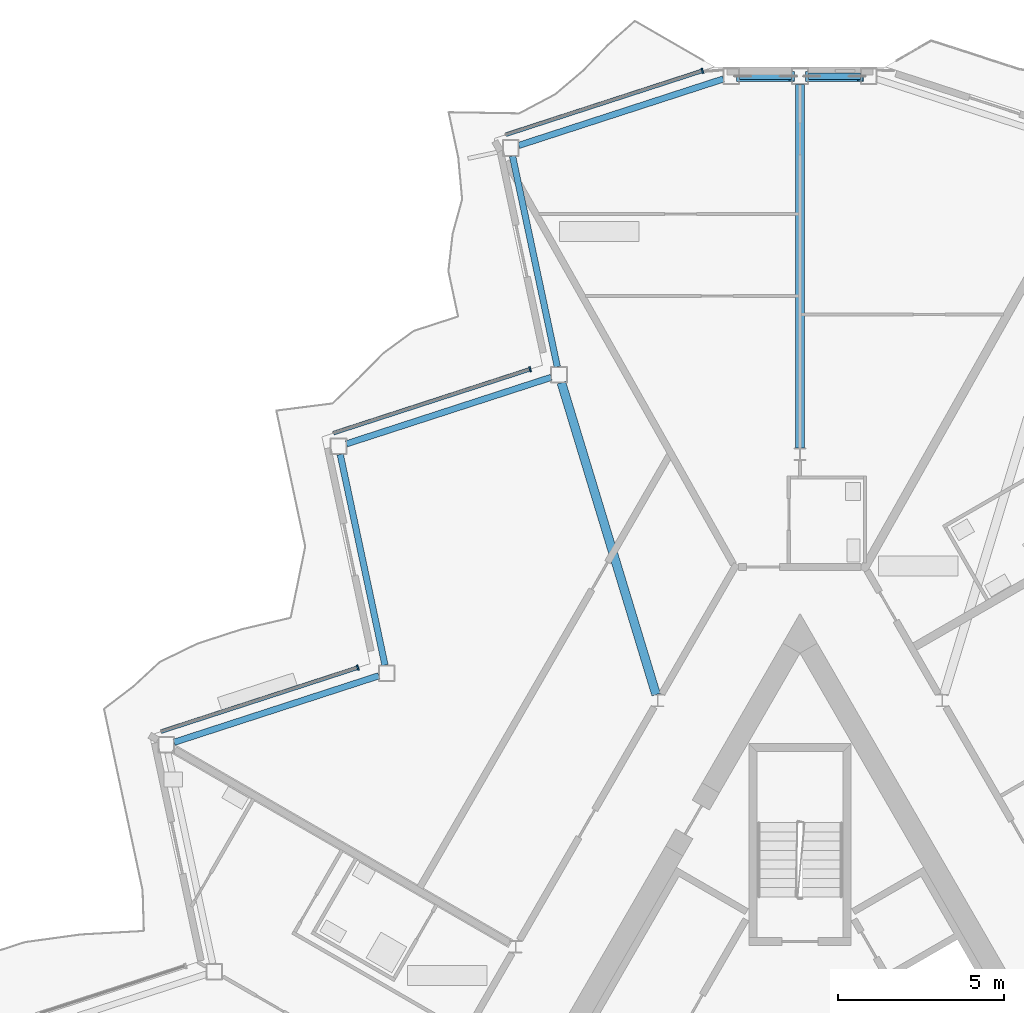
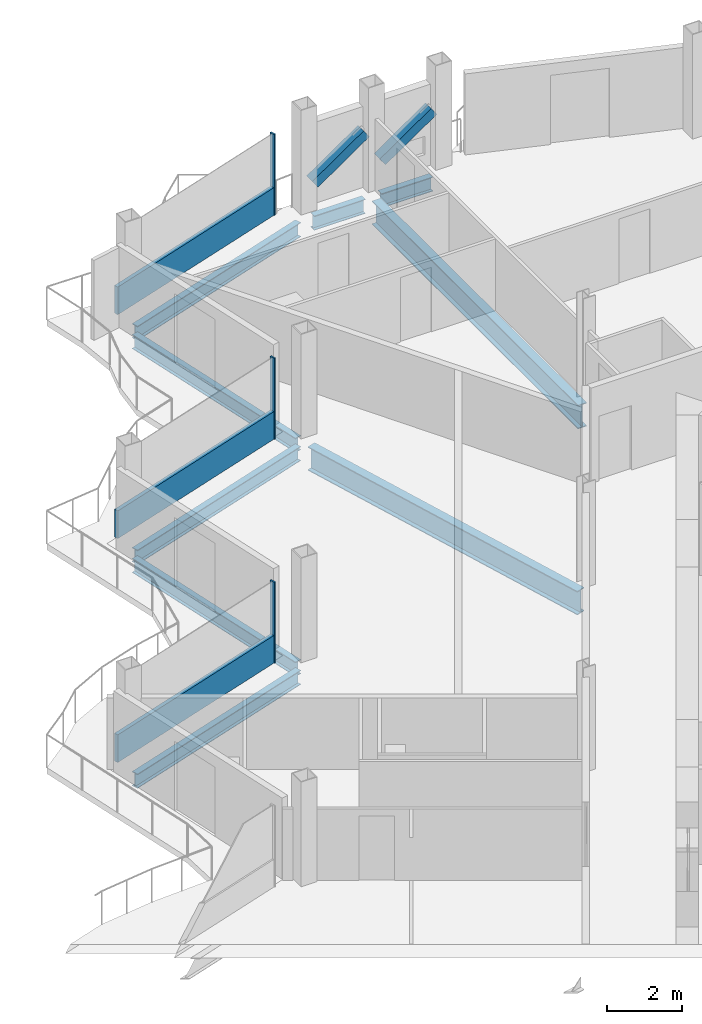
# One storey, part 9 of 26: 9 beams, 8 members, 3 elements without a shape of their own.
"""IFC4 building model written with IfcOpenShell, lengths in metres."""

from ifc_helpers import new_model, si_unit, direction, frame, origin, origin_2d, place, context, subcontext, project, spatial, rectangle, hollow_rectangle, i_section, extrude, material, layer, layer_set, material_profile, profile_set, type_object, element, aggregate, save


model = new_model("IFC4")

# Units and contexts
model_context = context("Model", 3, precision=1e-05, world=origin(), true_north=direction((0.0, 1.0)))
body_context = subcontext(model_context, "Body", "Model", "MODEL_VIEW")
ifc_project = project(units=[si_unit("LENGTHUNIT", "METRE"), si_unit("AREAUNIT", "SQUARE_METRE"), si_unit("VOLUMEUNIT", "CUBIC_METRE"), si_unit("PLANEANGLEUNIT", "RADIAN"), si_unit("MASSUNIT", "GRAM", prefix="KILO")], contexts=[model_context])

# Site, building, storey
site_placement = place(None, origin())
site = spatial("IfcSite", under=ifc_project, at=site_placement, CompositionType="ELEMENT")
building_placement = place(site_placement, origin())
building = spatial("IfcBuilding", under=site, at=building_placement, Name="Cormorant Prow Tower", CompositionType="ELEMENT")
storey_placement = place(building_placement, frame((0.0, 0.0, 374.60009765625)))
storey = spatial("IfcBuildingStorey", under=building, at=storey_placement, Name="L84", CompositionType="ELEMENT", Elevation=374.60009765625)

# Members
ifc_material_1 = material(Name="Structural steel ASTM A500 Gr C", Category="steel")
ifc_material_profile_1 = material_profile(ifc_material_1, hollow_rectangle(XDim=0.3046875, YDim=0.3046875, WallThickness=0.01171875, at=origin_2d()), Name="HSS12x12x1/2")
ifc_profile_set_1 = profile_set([ifc_material_profile_1], Name="Structural steel ASTM A500 Gr C")
member_type_1 = type_object("IfcMemberType", Name="Chamfer brace HSS12x12x1/2", PredefinedType="BRACE", material=ifc_profile_set_1)
for number, where, z_axis, x_axis, name in (
    (1, (0.246826171875, 31.219482421875, 0.7705078125), (0.82250770082, 0.0, 0.568753973254), (0.0, 1.0, 0.0), "Chamfer brace BR3 at N00 L84"),
    (2, (-1.8271484375, 31.219482421875, 0.7705078125), (0.82250770082, 0.0, 0.568753973254), (0.0, 1.0, 0.0), "Chamfer brace BR3 at N01 L84"),
):
    element("IfcMember", number, at=place(storey_placement, frame(where, z_axis=z_axis, x_axis=x_axis)), inside=storey, type_object=member_type_1, Name=name, PredefinedType="BRACE", context=body_context, shape_type="SweptSolid", body=[
        extrude(hollow_rectangle(XDim=0.3046875, YDim=0.3046875, WallThickness=0.01171875, at=origin_2d()), origin(), (0.0, 0.0, 1.0), 1.92138671875),
    ])

# Beams
ifc_material_2 = material(Name="Structural steel ASTM A992 Gr 50", Category="steel")
ifc_material_profile_2 = material_profile(ifc_material_2, i_section(OverallWidth=0.267822265625, OverallDepth=0.77001953125, WebThickness=0.015625, FlangeThickness=0.025390625, at=origin_2d()), Name="W30x132")
ifc_profile_set_2 = profile_set([ifc_material_profile_2], Name="Structural steel ASTM A992 Gr 50")
beam_type_1 = type_object("IfcBeamType", Name="Radial floor beam W30x132", PredefinedType="BEAM", material=ifc_profile_set_2)
beam_1_placement = place(storey_placement, frame((0.0, 19.998046875, -0.68505859375), z_axis=(0.0, 1.0, 0.0), x_axis=(-1.0, 0.0, 0.0)))
element("IfcBeam", 3, at=beam_1_placement, inside=storey, type_object=beam_type_1, Name="Radial floor beam FB3 1 L84", PredefinedType="BEAM", context=body_context, shape_type="SweptSolid", body=[
    extrude(i_section(OverallWidth=0.267822265625, OverallDepth=0.77001953125, WebThickness=0.015625, FlangeThickness=0.025390625, at=origin_2d()), origin(), (0.0, 0.0, 1.0), 10.971435546875),
])
beam_2_placement = place(storey_placement, frame((-4.343505859375, 12.560791015625, -0.68505859375), z_axis=(-0.290499864147, 0.956875033079, 0.0), x_axis=(-0.956875033079, -0.290499864147, 0.0)))
element("IfcBeam", 4, at=beam_2_placement, inside=storey, type_object=beam_type_1, Name="Radial floor beam FB3 2 L84", PredefinedType="BEAM", context=body_context, shape_type="SweptSolid", body=[
    extrude(i_section(OverallWidth=0.267822265625, OverallDepth=0.77001953125, WebThickness=0.015625, FlangeThickness=0.025390625, at=origin_2d()), origin(), (0.0, 0.0, 1.0), 9.837158203125),
])

# Curtain wall, member
ifc_material_3 = material(Name="Aluminium 6063-T6", Category="aluminium")
ifc_layer = layer(ifc_material_3, 0.159912109375)
ifc_layer_set = layer_set([ifc_layer], Name="Aluminium 6063-T6")
curtain_wall_type = type_object("IfcCurtainWallType", Name="Residential unitised curtain wall 160", PredefinedType="NOTDEFINED", material=ifc_layer_set)
curtain_wall_1_placement = place(storey_placement, origin())
curtain_wall_1 = element("IfcCurtainWall", 5, at=curtain_wall_1_placement, inside=storey, type_object=curtain_wall_type, Name="Residential curtain wall WNW00", PredefinedType="NOTDEFINED")
ifc_material_4 = material(Name="Aluminium 6063-T6", Category="aluminium")
ifc_material_profile_3 = material_profile(ifc_material_4, rectangle(XDim=0.159912109375, YDim=0.050048828125, at=origin_2d()), Name="Residential mullion 50x160")
ifc_profile_set_3 = profile_set([ifc_material_profile_3], Name="Aluminium 6063-T6")
member_type_2 = type_object("IfcMemberType", Name="Residential mullion 50x160", PredefinedType="MULLION", material=ifc_profile_set_3)
member_1_placement = place(storey_placement, frame((-2.946044921875, 31.3876953125, 0.0), z_axis=(0.0, 0.0, 1.0), x_axis=(0.309017024369, -0.951056506549, 0.0)))
member_1 = element("IfcMember", 6, at=member_1_placement, type_object=member_type_2, Name="Residential mullion WNW00", PredefinedType="MULLION", context=body_context, shape_type="SweptSolid", body=[
    extrude(rectangle(XDim=0.159912109375, YDim=0.050048828125, at=origin_2d()), origin(), (0.0, 0.0, 1.0), 2.6337890625),
])

curtain_wall_2_placement = place(storey_placement, origin())
curtain_wall_2 = element("IfcCurtainWall", 7, at=curtain_wall_2_placement, inside=storey, type_object=curtain_wall_type, Name="Residential curtain wall WNW02", PredefinedType="NOTDEFINED")
member_2_placement = place(storey_placement, frame((-8.14599609375, 22.380859375, 0.0), z_axis=(0.0, 0.0, 1.0), x_axis=(0.309017066365, -0.951056492904, 0.0)))
member_2 = element("IfcMember", 8, at=member_2_placement, type_object=member_type_2, Name="Residential mullion WNW02", PredefinedType="MULLION", context=body_context, shape_type="SweptSolid", body=[
    extrude(rectangle(XDim=0.159912109375, YDim=0.050048828125, at=origin_2d()), origin(), (0.0, 0.0, 1.0), 2.6337890625),
])

curtain_wall_3_placement = place(storey_placement, origin())
curtain_wall_3 = element("IfcCurtainWall", 9, at=curtain_wall_3_placement, inside=storey, type_object=curtain_wall_type, Name="Residential curtain wall WNW04", PredefinedType="NOTDEFINED")
member_3_placement = place(storey_placement, frame((-13.345947265625, 13.374267578125, 0.0), z_axis=(0.0, 0.0, 1.0), x_axis=(0.309016937108, -0.951056534902, 0.0)))
member_3 = element("IfcMember", 10, at=member_3_placement, type_object=member_type_2, Name="Residential mullion WNW04", PredefinedType="MULLION", context=body_context, shape_type="SweptSolid", body=[
    extrude(rectangle(XDim=0.159912109375, YDim=0.050048828125, at=origin_2d()), origin(), (0.0, 0.0, 1.0), 2.6337890625),
])

# Member
ifc_material_5 = material(Name="Terracotta", Category="masonry")
ifc_material_profile_4 = material_profile(ifc_material_5, rectangle(XDim=0.1201171875, YDim=0.89990234375, at=origin_2d()), Name="Residential terracotta spandrel rail 120x900")
ifc_profile_set_4 = profile_set([ifc_material_profile_4], Name="Terracotta")
member_type_3 = type_object("IfcMemberType", Name="Residential terracotta spandrel rail 120x900", PredefinedType="USERDEFINED", material=ifc_profile_set_4)
member_4_placement = place(storey_placement, frame((-2.9697265625, 31.3798828125, 0.449951171875), z_axis=(-0.951056004715, -0.309018568854, 0.0), x_axis=(0.309018568854, -0.951056004715, 0.0)))
member_4 = element("IfcMember", 11, at=member_4_placement, type_object=member_type_3, Name="Residential spandrel rail WNW00", ObjectType="TRANSOM", PredefinedType="USERDEFINED", context=body_context, shape_type="SweptSolid", body=[
    extrude(rectangle(XDim=0.1201171875, YDim=0.89990234375, at=origin_2d()), origin(), (0.0, 0.0, 1.0), 6.21533203125),
])

aggregate(curtain_wall_1, [member_1, member_4])

member_5_placement = place(storey_placement, frame((-8.169921875, 22.373291015625, 0.449951171875), z_axis=(-0.951052253526, -0.309030113522, 0.0), x_axis=(0.309030113522, -0.951052253526, 0.0)))
member_5 = element("IfcMember", 12, at=member_5_placement, type_object=member_type_3, Name="Residential spandrel rail WNW02", ObjectType="TRANSOM", PredefinedType="USERDEFINED", context=body_context, shape_type="SweptSolid", body=[
    extrude(rectangle(XDim=0.1201171875, YDim=0.89990234375, at=origin_2d()), origin(), (0.0, 0.0, 1.0), 6.215087890625),
])

aggregate(curtain_wall_2, [member_2, member_5])

member_6_placement = place(storey_placement, frame((-13.369873046875, 13.366455078125, 0.449951171875), z_axis=(-0.951056004715, -0.309018568854, 0.0), x_axis=(0.309018568854, -0.951056004715, 0.0)))
member_6 = element("IfcMember", 13, at=member_6_placement, type_object=member_type_3, Name="Residential spandrel rail WNW04", ObjectType="TRANSOM", PredefinedType="USERDEFINED", context=body_context, shape_type="SweptSolid", body=[
    extrude(rectangle(XDim=0.1201171875, YDim=0.89990234375, at=origin_2d()), origin(), (0.0, 0.0, 1.0), 6.21533203125),
])

aggregate(curtain_wall_3, [member_3, member_6])

# Beams
ifc_material_6 = material(Name="Structural steel ASTM A992 Gr 50", Category="steel")
ifc_material_profile_5 = material_profile(ifc_material_6, i_section(OverallWidth=0.19287109375, OverallDepth=0.466064453125, WebThickness=0.011474609375, FlangeThickness=0.01904296875, at=origin_2d()), Name="W18x65")
ifc_profile_set_5 = profile_set([ifc_material_profile_5], Name="Structural steel ASTM A992 Gr 50")
beam_type_2 = type_object("IfcBeamType", Name="Spandrel beam W18x65", PredefinedType="SPANDREL", material=ifc_profile_set_5)
for number, where, z_axis, x_axis, name in (
    (14, (1.82373046875, 31.219482421875, -0.533203125), (-1.0, 0.0, 0.0), (0.0, -1.0, 0.0), "Spandrel beam SB4 N00-N01 L84"),
    (15, (-0.25, 31.219482421875, -0.533203125), (-1.0, 0.0, 0.0), (0.0, -1.0, 0.0), "Spandrel beam SB4 N01-WNW00 L84"),
):
    element("IfcBeam", number, at=place(storey_placement, frame(where, z_axis=z_axis, x_axis=x_axis)), inside=storey, type_object=beam_type_2, Name=name, PredefinedType="SPANDREL", context=body_context, shape_type="SweptSolid", body=[
        extrude(i_section(OverallWidth=0.19287109375, OverallDepth=0.466064453125, WebThickness=0.011474609375, FlangeThickness=0.01904296875, at=origin_2d()), origin(), (0.0, 0.0, 1.0), 1.57373046875),
    ])
for number, where, z_axis, x_axis, name in (
    (16, (-2.3115234375, 31.142333984375, -0.533203125), (-0.951056984862, -0.30901555227, 0.0), (0.30901555227, -0.951056984862, 0.0), "Spandrel beam SB4 WNW00-WNW01 L84"),
    (17, (-8.6767578125, 28.812744140625, -0.533203125), (0.20793784774, -0.978142040543, 0.0), (0.978142040543, 0.20793784774, 0.0), "Spandrel beam SB4 WNW01-WNW02 L84"),
):
    element("IfcBeam", number, at=place(storey_placement, frame(where, z_axis=z_axis, x_axis=x_axis)), inside=storey, type_object=beam_type_2, Name=name, PredefinedType="SPANDREL", context=body_context, shape_type="SweptSolid", body=[
        extrude(i_section(OverallWidth=0.19287109375, OverallDepth=0.466064453125, WebThickness=0.011474609375, FlangeThickness=0.01904296875, at=origin_2d()), origin(), (0.0, 0.0, 1.0), 6.49755859375),
    ])
beam_3_placement = place(storey_placement, frame((-7.511474609375, 22.135498046875, -0.533203125), z_axis=(-0.951068027308, -0.308981564875, 0.0), x_axis=(0.308981564875, -0.951068027308, 0.0)))
element("IfcBeam", 18, at=beam_3_placement, inside=storey, type_object=beam_type_2, Name="Spandrel beam SB4 WNW02-WNW03 L84", PredefinedType="SPANDREL", context=body_context, shape_type="SweptSolid", body=[
    extrude(i_section(OverallWidth=0.19287109375, OverallDepth=0.466064453125, WebThickness=0.011474609375, FlangeThickness=0.01904296875, at=origin_2d()), origin(), (0.0, 0.0, 1.0), 6.497314453125),
])
beam_4_placement = place(storey_placement, frame((-13.876708984375, 19.80615234375, -0.533203125), z_axis=(0.207901897373, -0.978149682344, 0.0), x_axis=(0.978149682344, 0.207901897373, 0.0)))
element("IfcBeam", 19, at=beam_4_placement, inside=storey, type_object=beam_type_2, Name="Spandrel beam SB4 WNW03-WNW04 L84", PredefinedType="SPANDREL", context=body_context, shape_type="SweptSolid", body=[
    extrude(i_section(OverallWidth=0.19287109375, OverallDepth=0.466064453125, WebThickness=0.011474609375, FlangeThickness=0.01904296875, at=origin_2d()), origin(), (0.0, 0.0, 1.0), 6.49755859375),
])
beam_5_placement = place(storey_placement, frame((-12.711669921875, 13.12890625, -0.533203125), z_axis=(-0.951053396625, -0.309026595569, 0.0), x_axis=(0.309026595569, -0.951053396625, 0.0)))
element("IfcBeam", 20, at=beam_5_placement, inside=storey, type_object=beam_type_2, Name="Spandrel beam SB4 WNW04-WNW05 L84", PredefinedType="SPANDREL", context=body_context, shape_type="SweptSolid", body=[
    extrude(i_section(OverallWidth=0.19287109375, OverallDepth=0.466064453125, WebThickness=0.011474609375, FlangeThickness=0.01904296875, at=origin_2d()), origin(), (0.0, 0.0, 1.0), 6.497314453125),
])

save(model, "model.ifc")
